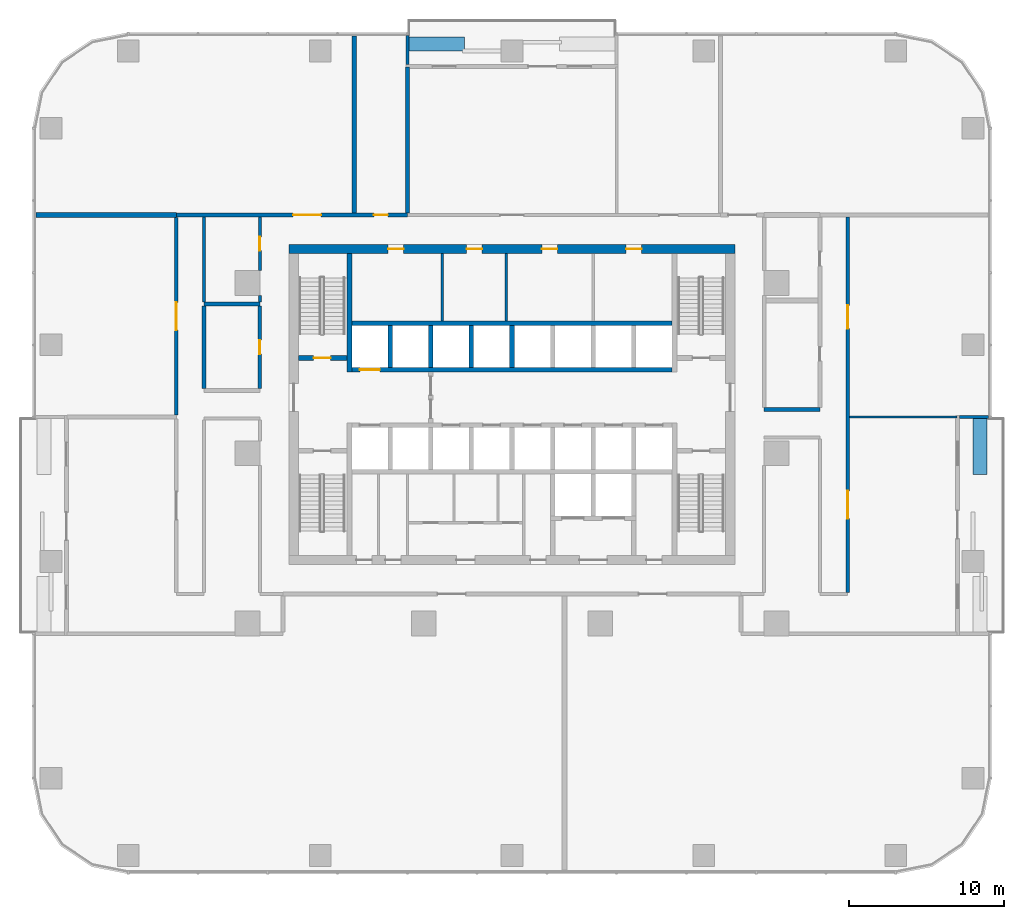
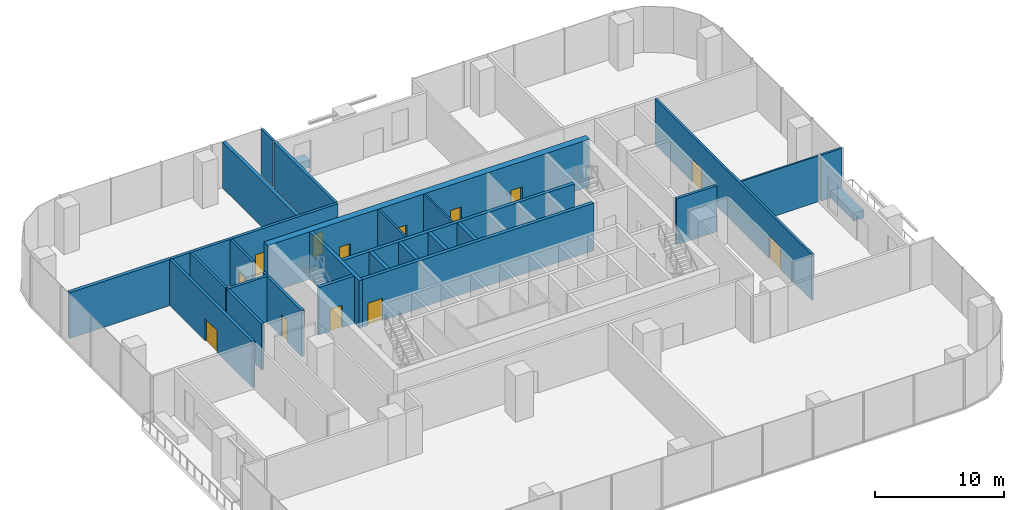
# One storey, part 9 of 14: 29 walls, 13 doors, 13 openings.
"""IFC4 building model written with IfcOpenShell, lengths in metres."""

from ifc_helpers import new_model, si_unit, direction, frame, frame_2d, origin, place, context, subcontext, project, spatial, rectangle, extrude, material, layer, layer_set, type_object, element, fill, save


model = new_model("IFC4")

# Units and contexts
model_context = context("Model", 3, precision=1e-05, world=origin(), true_north=direction((0.0, 1.0)))
body_context = subcontext(model_context, "Body", "Model", "MODEL_VIEW")
ifc_project = project(units=[si_unit("LENGTHUNIT", "METRE"), si_unit("AREAUNIT", "SQUARE_METRE"), si_unit("VOLUMEUNIT", "CUBIC_METRE"), si_unit("PLANEANGLEUNIT", "RADIAN"), si_unit("MASSUNIT", "GRAM", prefix="KILO")], contexts=[model_context])

# Site, building, storey
site_placement = place(None, origin())
site = spatial("IfcSite", under=ifc_project, at=site_placement, CompositionType="ELEMENT")
building_placement = place(site_placement, origin())
building = spatial("IfcBuilding", under=site, at=building_placement, Name="Mopane Tessera Tower", CompositionType="ELEMENT")
storey_placement = place(building_placement, frame((0.0, 0.0, 35.800048828125)))
storey = spatial("IfcBuildingStorey", under=building, at=storey_placement, Name="L06", CompositionType="ELEMENT", Elevation=35.800048828125)

# Walls
ifc_material_1 = material(Name="Fire-rated gypsum board partition")
ifc_layer_1 = layer(ifc_material_1, 0.14990234375)
ifc_layer_set_1 = layer_set([ifc_layer_1], Name="Fire-rated gypsum board partition")
wall_type_1 = type_object("IfcWallType", Name="Core room partition 150 mm", PredefinedType="PARTITIONING", material=ifc_layer_set_1)
for number, where, z_axis, x_axis, name in (
    (1, (-4.5, 8.550048828125, 0.0), (0.0, 0.0, 1.0), (0.0, 1.0, 0.0), "L06 Room partition"),
    (2, (-0.375, 8.550048828125, 0.0), (0.0, 0.0, 1.0), (0.0, 1.0, 0.0), "L06 Room partition"),
):
    element("IfcWall", number, at=place(storey_placement, frame(where, z_axis=z_axis, x_axis=x_axis)), inside=storey, type_object=wall_type_1, Name=name, PredefinedType="PARTITIONING", context=body_context, shape_type="SweptSolid", body=[
        extrude(rectangle(XDim=4.349853515625, YDim=0.14990234375, at=frame_2d((2.1748046875, 0.0))), origin(), (0.0, 0.0, 1.0), 4.5),
    ])

# Wall, openings, doors
ifc_material_2 = material(Name="Concrete C70/85", Category="concrete")
ifc_layer_2 = layer(ifc_material_2, 0.60009765625)
ifc_layer_set_2 = layer_set([ifc_layer_2], Name="Concrete C70/85")
wall_type_2 = type_object("IfcWallType", Name="Core shear wall 600 mm", PredefinedType="SHEAR", material=ifc_layer_set_2)
wall_1_placement = place(storey_placement, frame((-14.39990234375, 13.199951171875, 0.0), z_axis=(0.0, 0.0, 1.0), x_axis=(1.0, 0.0, 0.0)))
wall_1 = element("IfcWall", 3, at=wall_1_placement, inside=storey, type_object=wall_type_2, Name="L06 Core wall north", PredefinedType="SHEAR", context=body_context, shape_type="SweptSolid", body=[
    extrude(rectangle(XDim=28.7998046875, YDim=0.60009765625, at=frame_2d((14.39990234375, 0.0))), origin(), (0.0, 0.0, 1.0), 4.5),
])
opening_1_placement = place(wall_1_placement, frame((6.39990234375, 0.0, 0.0)))
opening_1 = element("IfcOpeningElement", 4, at=opening_1_placement, cuts=wall_1, Name="Opening RD1", PredefinedType="OPENING", context=body_context, shape_type="SweptSolid", body=[
    extrude(rectangle(XDim=1.0, YDim=2.10009765625, at=frame_2d((0.5, 1.050048828125))), frame((0.0, 0.31201171875, 0.0), z_axis=(0.0, -1.0, 0.0), x_axis=(1.0, 0.0, 0.0)), (0.0, 0.0, 1.0), 0.6240234375),
])
opening_2_placement = place(wall_1_placement, frame((11.46240234375, 0.0, 0.0)))
opening_2 = element("IfcOpeningElement", 5, at=opening_2_placement, cuts=wall_1, Name="Opening RD1", PredefinedType="OPENING", context=body_context, shape_type="SweptSolid", body=[
    extrude(rectangle(XDim=1.0, YDim=2.10009765625, at=frame_2d((0.5, 1.050048828125))), frame((0.0, 0.31201171875, 0.0), z_axis=(0.0, -1.0, 0.0), x_axis=(1.0, 0.0, 0.0)), (0.0, 0.0, 1.0), 0.6240234375),
])
opening_3_placement = place(wall_1_placement, frame((16.33740234375, 0.0, 0.0)))
opening_3 = element("IfcOpeningElement", 6, at=opening_3_placement, cuts=wall_1, Name="Opening RD1", PredefinedType="OPENING", context=body_context, shape_type="SweptSolid", body=[
    extrude(rectangle(XDim=1.0, YDim=2.10009765625, at=frame_2d((0.5, 1.050048828125))), frame((0.0, 0.31201171875, 0.0), z_axis=(0.0, -1.0, 0.0), x_axis=(1.0, 0.0, 0.0)), (0.0, 0.0, 1.0), 0.6240234375),
])
opening_4_placement = place(wall_1_placement, frame((21.77490234375, 0.0, 0.0)))
opening_4 = element("IfcOpeningElement", 7, at=opening_4_placement, cuts=wall_1, Name="Opening RD1", PredefinedType="OPENING", context=body_context, shape_type="SweptSolid", body=[
    extrude(rectangle(XDim=1.0, YDim=2.10009765625, at=frame_2d((0.5, 1.050048828125))), frame((0.0, 0.31201171875, 0.0), z_axis=(0.0, -1.0, 0.0), x_axis=(1.0, 0.0, 0.0)), (0.0, 0.0, 1.0), 0.6240234375),
])
ifc_material_3 = material(Name="Timber door", Category="wood")
door_type_1 = type_object("IfcDoorType", Name="Core room door 1000 x 2100", OperationType="SINGLE_SWING_LEFT", PredefinedType="DOOR", material=ifc_material_3)
door_1_placement = place(opening_1_placement, origin())
door_1 = element("IfcDoor", 8, at=door_1_placement, inside=storey, type_object=door_type_1, Name="L06 Room door", OperationType="SINGLE_SWING_LEFT", OverallHeight=2.10009765625, OverallWidth=1.0, PredefinedType="DOOR", context=body_context, shape_type="SweptSolid", body=[
    extrude(rectangle(XDim=1.0, YDim=2.10009765625, at=frame_2d((0.5, 1.050048828125))), frame((0.0, 0.02490234375, 0.0), z_axis=(0.0, -1.0, 0.0), x_axis=(1.0, 0.0, 0.0)), (0.0, 0.0, 1.0), 0.050048828125),
])
fill(opening_1, door_1)
door_2_placement = place(opening_2_placement, origin())
door_2 = element("IfcDoor", 9, at=door_2_placement, inside=storey, type_object=door_type_1, Name="L06 Room door", OperationType="SINGLE_SWING_LEFT", OverallHeight=2.10009765625, OverallWidth=1.0, PredefinedType="DOOR", context=body_context, shape_type="SweptSolid", body=[
    extrude(rectangle(XDim=1.0, YDim=2.10009765625, at=frame_2d((0.5, 1.050048828125))), frame((0.0, 0.02490234375, 0.0), z_axis=(0.0, -1.0, 0.0), x_axis=(1.0, 0.0, 0.0)), (0.0, 0.0, 1.0), 0.050048828125),
])
fill(opening_2, door_2)
door_3_placement = place(opening_3_placement, origin())
door_3 = element("IfcDoor", 10, at=door_3_placement, inside=storey, type_object=door_type_1, Name="L06 Room door", OperationType="SINGLE_SWING_LEFT", OverallHeight=2.10009765625, OverallWidth=1.0, PredefinedType="DOOR", context=body_context, shape_type="SweptSolid", body=[
    extrude(rectangle(XDim=1.0, YDim=2.10009765625, at=frame_2d((0.5, 1.050048828125))), frame((0.0, 0.02490234375, 0.0), z_axis=(0.0, -1.0, 0.0), x_axis=(1.0, 0.0, 0.0)), (0.0, 0.0, 1.0), 0.050048828125),
])
fill(opening_3, door_3)
door_4_placement = place(opening_4_placement, origin())
door_4 = element("IfcDoor", 11, at=door_4_placement, inside=storey, type_object=door_type_1, Name="L06 Room door", OperationType="SINGLE_SWING_LEFT", OverallHeight=2.10009765625, OverallWidth=1.0, PredefinedType="DOOR", context=body_context, shape_type="SweptSolid", body=[
    extrude(rectangle(XDim=1.0, YDim=2.10009765625, at=frame_2d((0.5, 1.050048828125))), frame((0.0, 0.02490234375, 0.0), z_axis=(0.0, -1.0, 0.0), x_axis=(1.0, 0.0, 0.0)), (0.0, 0.0, 1.0), 0.050048828125),
])
fill(opening_4, door_4)

# Walls
ifc_material_4 = material(Name="Concrete C60/75", Category="concrete")
ifc_layer_3 = layer(ifc_material_4, 0.300048828125)
ifc_layer_set_3 = layer_set([ifc_layer_3], Name="Concrete C60/75")
wall_type_3 = type_object("IfcWallType", Name="Core spine wall 300 mm", PredefinedType="SHEAR", material=ifc_layer_set_3)
wall_2_placement = place(storey_placement, frame((-10.5, 5.25, 0.0), z_axis=(0.0, 0.0, 1.0), x_axis=(0.0, 1.0, 0.0)))
element("IfcWall", 12, at=wall_2_placement, inside=storey, type_object=wall_type_3, Name="L06 Core spine wall", PredefinedType="SHEAR", context=body_context, shape_type="SweptSolid", body=[
    extrude(rectangle(XDim=7.64990234375, YDim=0.300048828125, at=frame_2d((3.824951171875, 0.0))), origin(), (0.0, 0.0, 1.0), 4.5),
])
ifc_material_5 = material(Name="Gypsum board on steel studs, two layers each face, mineral wool infill", Category="steel")
ifc_layer_4 = layer(ifc_material_5, 0.199951171875)
ifc_layer_set_4 = layer_set([ifc_layer_4], Name="Gypsum board on steel studs, two layers each face, mineral wool infill")
wall_type_4 = type_object("IfcWallType", Name="Gypsum board corridor wall 200, rated EI 60", PredefinedType="PARTITIONING", material=ifc_layer_set_4)
wall_3_placement = place(storey_placement, frame((-19.89990234375, 9.780029296875, 0.0), z_axis=(0.0, 0.0, 1.0), x_axis=(0.0, 1.0, 0.0)))
element("IfcWall", 13, at=wall_3_placement, inside=storey, type_object=wall_type_4, Name="Partition L06:026", PredefinedType="PARTITIONING", context=body_context, shape_type="SweptSolid", body=[
    extrude(rectangle(XDim=5.494873046875, YDim=0.199951171875, at=frame_2d((2.74755859375, 0.0))), origin(), (0.0, 0.0, 1.0), 4.349853515625),
])
wall_4_placement = place(storey_placement, frame((-16.300048828125, 9.780029296875, 0.0), z_axis=(0.0, 0.0, 1.0), x_axis=(0.0, 1.0, 0.0)))
element("IfcWall", 14, at=wall_4_placement, inside=storey, type_object=wall_type_4, Name="Partition L06:030", PredefinedType="PARTITIONING", context=body_context, shape_type="SweptSolid", body=[
    extrude(rectangle(XDim=0.419921875, YDim=0.199951171875, at=frame_2d((0.2099609375, 0.0))), origin(), (0.0, 0.0, 1.0), 4.349853515625),
])

# Wall, opening, door
wall_5_placement = place(storey_placement, frame((-16.300048828125, 11.800048828125, 0.0), z_axis=(0.0, 0.0, 1.0), x_axis=(0.0, 1.0, 0.0)))
wall_5 = element("IfcWall", 15, at=wall_5_placement, inside=storey, type_object=wall_type_4, Name="Partition L06:031", PredefinedType="PARTITIONING", context=body_context, shape_type="SweptSolid", body=[
    extrude(rectangle(XDim=3.474853515625, YDim=0.199951171875, at=frame_2d((1.7373046875, 0.0))), origin(), (0.0, 0.0, 1.0), 4.349853515625),
])
opening_5_placement = place(wall_5_placement, frame((1.28759765625, 0.0, 0.0)))
opening_5 = element("IfcOpeningElement", 16, at=opening_5_placement, cuts=wall_5, Name="Opening L06-14", PredefinedType="OPENING", context=body_context, shape_type="SweptSolid", body=[
    extrude(rectangle(XDim=0.89990234375, YDim=2.10009765625, at=frame_2d((0.449951171875, 1.050048828125))), frame((0.0, 0.112060546875, 0.0), z_axis=(0.0, -1.0, 0.0), x_axis=(1.0, 0.0, 0.0)), (0.0, 0.0, 1.0), 0.223876953125),
])
ifc_material_6 = material(Name="Timber veneered steel-framed fire door", Category="steel")
door_type_2 = type_object("IfcDoorType", Name="Fire door FD60 900 x 2100", OperationType="SINGLE_SWING_LEFT", PredefinedType="DOOR", material=ifc_material_6)
door_5_placement = place(opening_5_placement, origin())
door_5 = element("IfcDoor", 17, at=door_5_placement, inside=storey, type_object=door_type_2, Name="Door L06-14", ObjectType="D10A", OperationType="SINGLE_SWING_LEFT", OverallHeight=2.10009765625, OverallWidth=0.89990234375, PredefinedType="DOOR", context=body_context, shape_type="SweptSolid", body=[
    extrude(rectangle(XDim=0.89990234375, YDim=2.10009765625, at=frame_2d((0.449951171875, 1.050048828125))), frame((0.0, 0.02490234375, 0.0), z_axis=(0.0, -1.0, 0.0), x_axis=(1.0, 0.0, 0.0)), (0.0, 0.0, 1.0), 0.050048828125),
])
fill(opening_5, door_5)

# Wall, openings, doors
wall_6_placement = place(storey_placement, frame((21.699951171875, -9.0, 0.0), z_axis=(0.0, 0.0, 1.0), x_axis=(0.0, 1.0, 0.0)))
wall_6 = element("IfcWall", 18, at=wall_6_placement, inside=storey, type_object=wall_type_4, Name="Partition L06:045", PredefinedType="PARTITIONING", context=body_context, shape_type="SweptSolid", body=[
    extrude(rectangle(XDim=24.27490234375, YDim=0.199951171875, at=frame_2d((12.137451171875, 0.0))), origin(), (0.0, 0.0, 1.0), 4.349853515625),
])
opening_6_placement = place(wall_6_placement, frame((4.767578125, 0.0, 0.0)))
opening_6 = element("IfcOpeningElement", 19, at=opening_6_placement, cuts=wall_6, Name="Opening L06-05", PredefinedType="OPENING", context=body_context, shape_type="SweptSolid", body=[
    extrude(rectangle(XDim=1.800048828125, YDim=2.10009765625, at=frame_2d((0.89990234375, 1.050048828125))), frame((0.0, 0.112060546875, 0.0), z_axis=(0.0, -1.0, 0.0), x_axis=(1.0, 0.0, 0.0)), (0.0, 0.0, 1.0), 0.223876953125),
])
opening_7_placement = place(wall_6_placement, frame((17.054931640625, 0.0, 0.0)))
opening_7 = element("IfcOpeningElement", 20, at=opening_7_placement, cuts=wall_6, Name="Opening L06-06", PredefinedType="OPENING", context=body_context, shape_type="SweptSolid", body=[
    extrude(rectangle(XDim=1.5, YDim=2.10009765625, at=frame_2d((0.75, 1.050048828125))), frame((0.0, 0.112060546875, 0.0), z_axis=(0.0, -1.0, 0.0), x_axis=(1.0, 0.0, 0.0)), (0.0, 0.0, 1.0), 0.223876953125),
])
ifc_material_7 = material(Name="Timber veneered steel-framed fire door", Category="steel")
door_type_3 = type_object("IfcDoorType", Name="Fire door pair FD60 1500 x 2100", OperationType="DOUBLE_DOOR_SINGLE_SWING", PredefinedType="DOOR", material=ifc_material_7)
door_6_placement = place(opening_7_placement, origin())
door_6 = element("IfcDoor", 21, at=door_6_placement, inside=storey, type_object=door_type_3, Name="Door L06-06", ObjectType="D17A", OperationType="DOUBLE_DOOR_SINGLE_SWING", OverallHeight=2.10009765625, OverallWidth=1.5, PredefinedType="DOOR", context=body_context, shape_type="SweptSolid", body=[
    extrude(rectangle(XDim=1.5, YDim=2.10009765625, at=frame_2d((0.75, 1.050048828125))), frame((0.0, 0.02490234375, 0.0), z_axis=(0.0, -1.0, 0.0), x_axis=(1.0, 0.0, 0.0)), (0.0, 0.0, 1.0), 0.050048828125),
])
fill(opening_7, door_6)
ifc_material_8 = material(Name="Timber veneered steel-framed fire door", Category="steel")
door_type_4 = type_object("IfcDoorType", Name="Fire door pair FD60 1800 x 2100", OperationType="DOUBLE_DOOR_SINGLE_SWING", PredefinedType="DOOR", material=ifc_material_8)
door_7_placement = place(opening_6_placement, origin())
door_7 = element("IfcDoor", 22, at=door_7_placement, inside=storey, type_object=door_type_4, Name="Door L06-05", ObjectType="D20A", OperationType="DOUBLE_DOOR_SINGLE_SWING", OverallHeight=2.10009765625, OverallWidth=1.800048828125, PredefinedType="DOOR", context=body_context, shape_type="SweptSolid", body=[
    extrude(rectangle(XDim=1.800048828125, YDim=2.10009765625, at=frame_2d((0.89990234375, 1.050048828125))), frame((0.0, 0.02490234375, 0.0), z_axis=(0.0, -1.0, 0.0), x_axis=(1.0, 0.0, 0.0)), (0.0, 0.0, 1.0), 0.050048828125),
])
fill(opening_6, door_7)

# Wall
ifc_material_9 = material(Name="Gypsum board on steel studs, mineral wool infill", Category="steel")
ifc_layer_5 = layer(ifc_material_9, 0.14990234375)
ifc_layer_set_5 = layer_set([ifc_layer_5], Name="Gypsum board on steel studs, mineral wool infill")
wall_type_5 = type_object("IfcWallType", Name="Gypsum board partition 150, rated EI 60", PredefinedType="PARTITIONING", material=ifc_layer_set_5)
wall_7_placement = place(storey_placement, frame((21.800048828125, 2.3349609375, 0.0), z_axis=(0.0, 0.0, 1.0), x_axis=(1.0, 0.0, 0.0)))
element("IfcWall", 23, at=wall_7_placement, inside=storey, type_object=wall_type_5, Name="Partition L06:011", PredefinedType="PARTITIONING", context=body_context, shape_type="SweptSolid", body=[
    extrude(rectangle(XDim=6.949951171875, YDim=0.14990234375, at=frame_2d((3.47509765625, 0.0))), origin(), (0.0, 0.0, 1.0), 4.349853515625),
])

# Wall, opening, door
ifc_material_10 = material(Name="Concrete C50/60", Category="concrete")
ifc_layer_6 = layer(ifc_material_10, 0.300048828125)
ifc_layer_set_6 = layer_set([ifc_layer_6], Name="Concrete C50/60")
wall_type_6 = type_object("IfcWallType", Name="Lift and stair shaft wall 300 mm", PredefinedType="SOLIDWALL", material=ifc_layer_set_6)
wall_8_placement = place(storey_placement, frame((-13.800048828125, 6.14990234375, 0.0), z_axis=(0.0, 0.0, 1.0), x_axis=(1.0, 0.0, 0.0)))
wall_8 = element("IfcWall", 24, at=wall_8_placement, inside=storey, type_object=wall_type_6, Name="L06 Stair enclosure wall", PredefinedType="SOLIDWALL", context=body_context, shape_type="SweptSolid", body=[
    extrude(rectangle(XDim=3.150146484375, YDim=0.300048828125, at=frame_2d((1.5751953125, 0.0))), origin(), (0.0, 0.0, 1.0), 4.5),
])
opening_8_placement = place(wall_8_placement, frame((0.97509765625, 0.0, 0.0)))
opening_8 = element("IfcOpeningElement", 25, at=opening_8_placement, cuts=wall_8, Name="Opening SD1", PredefinedType="OPENING", context=body_context, shape_type="SweptSolid", body=[
    extrude(rectangle(XDim=1.10009765625, YDim=2.10009765625, at=frame_2d((0.550048828125, 1.050048828125))), frame((0.0, 0.162109375, 0.0), z_axis=(0.0, -1.0, 0.0), x_axis=(1.0, 0.0, 0.0)), (0.0, 0.0, 1.0), 0.323974609375),
])
ifc_material_11 = material(Name="Steel fire door", Category="steel")
door_type_5 = type_object("IfcDoorType", Name="Stair fire door 1100 x 2100", OperationType="SINGLE_SWING_LEFT", PredefinedType="DOOR", material=ifc_material_11)
door_8_placement = place(opening_8_placement, origin())
door_8 = element("IfcDoor", 26, at=door_8_placement, inside=storey, type_object=door_type_5, Name="L06 Stair door ST2", OperationType="SINGLE_SWING_LEFT", OverallHeight=2.10009765625, OverallWidth=1.10009765625, PredefinedType="DOOR", context=body_context, shape_type="SweptSolid", body=[
    extrude(rectangle(XDim=1.10009765625, YDim=2.10009765625, at=frame_2d((0.550048828125, 1.050048828125))), frame((0.0, 0.02490234375, 0.0), z_axis=(0.0, -1.0, 0.0), x_axis=(1.0, 0.0, 0.0)), (0.0, 0.0, 1.0), 0.050048828125),
])
fill(opening_8, door_8)

wall_9_placement = place(storey_placement, frame((-10.35009765625, 5.39990234375, 0.0), z_axis=(0.0, 0.0, 1.0), x_axis=(1.0, 0.0, 0.0)))
wall_9 = element("IfcWall", 27, at=wall_9_placement, inside=storey, type_object=wall_type_6, Name="L06 Lift shaft front wall", PredefinedType="SOLIDWALL", context=body_context, shape_type="SweptSolid", body=[
    extrude(rectangle(XDim=20.7001953125, YDim=0.300048828125, at=frame_2d((10.35009765625, 0.0))), origin(), (0.0, 0.0, 1.0), 4.5),
])
opening_9_placement = place(wall_9_placement, frame((0.512451171875, 0.0, 0.0)))
opening_9 = element("IfcOpeningElement", 28, at=opening_9_placement, cuts=wall_9, Name="Opening LD2", PredefinedType="OPENING", context=body_context, shape_type="SweptSolid", body=[
    extrude(rectangle(XDim=1.300048828125, YDim=2.10009765625, at=frame_2d((0.64990234375, 1.050048828125))), frame((0.0, 0.162109375, 0.0), z_axis=(0.0, -1.0, 0.0), x_axis=(1.0, 0.0, 0.0)), (0.0, 0.0, 1.0), 0.323974609375),
])
ifc_material_12 = material(Name="Stainless steel sliding door", Category="steel")
door_type_6 = type_object("IfcDoorType", Name="Fire-fighting lift landing door 1300 x 2100", OperationType="DOUBLE_DOOR_SLIDING", PredefinedType="DOOR", material=ifc_material_12)
door_9_placement = place(opening_9_placement, origin())
door_9 = element("IfcDoor", 29, at=door_9_placement, inside=storey, type_object=door_type_6, Name="L06 Lift landing door FF2", OperationType="DOUBLE_DOOR_SLIDING", OverallHeight=2.10009765625, OverallWidth=1.300048828125, PredefinedType="DOOR", context=body_context, shape_type="SweptSolid", body=[
    extrude(rectangle(XDim=1.300048828125, YDim=2.10009765625, at=frame_2d((0.64990234375, 1.050048828125))), frame((0.0, 0.02490234375, 0.0), z_axis=(0.0, -1.0, 0.0), x_axis=(1.0, 0.0, 0.0)), (0.0, 0.0, 1.0), 0.050048828125),
])
fill(opening_9, door_9)

# Walls
wall_10_placement = place(storey_placement, frame((-10.35009765625, 8.39990234375, 0.0), z_axis=(0.0, 0.0, 1.0), x_axis=(1.0, 0.0, 0.0)))
element("IfcWall", 30, at=wall_10_placement, inside=storey, type_object=wall_type_6, Name="L06 Lift shaft rear wall", PredefinedType="SOLIDWALL", context=body_context, shape_type="SweptSolid", body=[
    extrude(rectangle(XDim=20.7001953125, YDim=0.300048828125, at=frame_2d((10.35009765625, 0.0))), origin(), (0.0, 0.0, 1.0), 4.5),
])
for number, where, z_axis, x_axis, name in (
    (31, (-7.875, 5.550048828125, 0.0), (0.0, 0.0, 1.0), (0.0, 1.0, 0.0), "L06 Lift shaft wall"),
    (32, (-5.25, 5.550048828125, 0.0), (0.0, 0.0, 1.0), (0.0, 1.0, 0.0), "L06 Lift shaft wall"),
    (33, (-2.625, 5.550048828125, 0.0), (0.0, 0.0, 1.0), (0.0, 1.0, 0.0), "L06 Lift shaft wall"),
    (34, (0.0, 5.550048828125, 0.0), (0.0, 0.0, 1.0), (0.0, 1.0, 0.0), "L06 Lift shaft wall"),
):
    element("IfcWall", number, at=place(storey_placement, frame(where, z_axis=z_axis, x_axis=x_axis)), inside=storey, type_object=wall_type_6, Name=name, PredefinedType="SOLIDWALL", context=body_context, shape_type="SweptSolid", body=[
        extrude(rectangle(XDim=2.699951171875, YDim=0.300048828125, at=frame_2d((1.35009765625, 0.0))), origin(), (0.0, 0.0, 1.0), 4.5),
    ])
ifc_material_13 = material(Name="Reinforced concrete C32/40 with waterproofing", Category="concrete")
ifc_layer_7 = layer(ifc_material_13, 0.89990234375)
ifc_layer_set_7 = layer_set([ifc_layer_7], Name="Reinforced concrete C32/40 with waterproofing")
wall_type_7 = type_object("IfcWallType", Name="Planter trough 3600 x 900", PredefinedType="STANDARD", material=ifc_layer_set_7)
wall_11_placement = place(storey_placement, frame((30.25, -1.36669921875, 0.0), z_axis=(0.0, 0.0, 1.0), x_axis=(0.0, 1.0, 0.0)))
element("IfcWall", 35, at=wall_11_placement, inside=storey, type_object=wall_type_7, Name="e:nw:L06:N1:pl1", PredefinedType="STANDARD", context=body_context, shape_type="SweptSolid", body=[
    extrude(rectangle(XDim=3.60009765625, YDim=0.89990234375, at=frame_2d((1.800048828125, 0.0))), origin(), (0.0, 0.0, 1.0), 0.699951171875),
])
wall_12_placement = place(storey_placement, frame((-3.063720703125, 26.449951171875, 0.0), z_axis=(0.0, 0.0, 1.0), x_axis=(-1.0, 0.0, 0.0)))
element("IfcWall", 36, at=wall_12_placement, inside=storey, type_object=wall_type_7, Name="e:nw:L06:N2:pl1", PredefinedType="STANDARD", context=body_context, shape_type="SweptSolid", body=[
    extrude(rectangle(XDim=3.599853515625, YDim=0.89990234375, at=frame_2d((1.7998046875, 0.0))), origin(), (0.0, 0.0, 1.0), 0.699951171875),
])
ifc_material_14 = material(Name="Plastered concrete blockwork C20/25", Category="masonry")
ifc_layer_8 = layer(ifc_material_14, 0.300048828125)
ifc_layer_set_8 = layer_set([ifc_layer_8], Name="Plastered concrete blockwork C20/25")
wall_type_8 = type_object("IfcWallType", Name="Plastered blockwork separation wall 300, rated EI 120", PredefinedType="PARTITIONING", material=ifc_layer_set_8)
wall_13_placement = place(storey_placement, frame((-30.75, 15.39990234375, 0.0), z_axis=(0.0, 0.0, 1.0), x_axis=(1.0, 0.0, 0.0)))
element("IfcWall", 37, at=wall_13_placement, inside=storey, type_object=wall_type_8, Name="Partition L06:021", PredefinedType="PARTITIONING", context=body_context, shape_type="SweptSolid", body=[
    extrude(rectangle(XDim=9.050048828125, YDim=0.300048828125, at=frame_2d((4.52490234375, 0.0))), origin(), (0.0, 0.0, 1.0), 4.349853515625),
])
wall_14_placement = place(storey_placement, frame((-10.18505859375, 15.52490234375, 0.0), z_axis=(0.0, 0.0, 1.0), x_axis=(0.0, 1.0, 0.0)))
element("IfcWall", 38, at=wall_14_placement, inside=storey, type_object=wall_type_8, Name="Partition L06:034", PredefinedType="PARTITIONING", context=body_context, shape_type="SweptSolid", body=[
    extrude(rectangle(XDim=11.425048828125, YDim=0.300048828125, at=frame_2d((5.71240234375, 0.0))), origin(), (0.0, 0.0, 1.0), 4.349853515625),
])
ifc_material_15 = material(Name="Plastered concrete blockwork C20/25", Category="masonry")
ifc_layer_9 = layer(ifc_material_15, 0.25)
ifc_layer_set_9 = layer_set([ifc_layer_9], Name="Plastered concrete blockwork C20/25")
wall_type_9 = type_object("IfcWallType", Name="Plastered blockwork wall 250, rated EI 120", PredefinedType="PARTITIONING", material=ifc_layer_set_9)
for number, where, z_axis, x_axis, name in (
    (39, (16.300048828125, 2.824951171875, 0.0), (0.0, 0.0, 1.0), (1.0, 0.0, 0.0), "Partition L06:013"),
    (40, (-19.89990234375, 9.655029296875, 0.0), (0.0, 0.0, 1.0), (1.0, 0.0, 0.0), "Partition L06:015"),
):
    element("IfcWall", number, at=place(storey_placement, frame(where, z_axis=z_axis, x_axis=x_axis)), inside=storey, type_object=wall_type_9, Name=name, PredefinedType="PARTITIONING", context=body_context, shape_type="SweptSolid", body=[
        extrude(rectangle(XDim=3.599853515625, YDim=0.25, at=frame_2d((1.7998046875, 0.0))), origin(), (0.0, 0.0, 1.0), 4.349853515625),
    ])

# Wall, openings, doors
wall_15_placement = place(storey_placement, frame((-21.699951171875, 15.39990234375, 0.0), z_axis=(0.0, 0.0, 1.0), x_axis=(1.0, 0.0, 0.0)))
wall_15 = element("IfcWall", 41, at=wall_15_placement, inside=storey, type_object=wall_type_9, Name="Partition L06:018", PredefinedType="PARTITIONING", context=body_context, shape_type="SweptSolid", body=[
    extrude(rectangle(XDim=14.93505859375, YDim=0.25, at=frame_2d((7.467529296875, 0.0))), origin(), (0.0, 0.0, 1.0), 4.349853515625),
])
opening_10_placement = place(wall_15_placement, frame((12.77490234375, 0.0, 0.0)))
opening_10 = element("IfcOpeningElement", 42, at=opening_10_placement, cuts=wall_15, Name="Opening L06-10", PredefinedType="OPENING", context=body_context, shape_type="SweptSolid", body=[
    extrude(rectangle(XDim=0.89990234375, YDim=2.10009765625, at=frame_2d((0.449951171875, 1.050048828125))), frame((0.0, 0.136962890625, 0.0), z_axis=(0.0, -1.0, 0.0), x_axis=(1.0, 0.0, 0.0)), (0.0, 0.0, 1.0), 0.27392578125),
])
opening_11_placement = place(wall_15_placement, frame((7.5576171875, 0.0, 0.0)))
opening_11 = element("IfcOpeningElement", 43, at=opening_11_placement, cuts=wall_15, Name="Opening L06-13", PredefinedType="OPENING", context=body_context, shape_type="SweptSolid", body=[
    extrude(rectangle(XDim=1.800048828125, YDim=2.10009765625, at=frame_2d((0.89990234375, 1.050048828125))), frame((0.0, 0.136962890625, 0.0), z_axis=(0.0, -1.0, 0.0), x_axis=(1.0, 0.0, 0.0)), (0.0, 0.0, 1.0), 0.27392578125),
])
ifc_material_16 = material(Name="Timber veneered steel-framed fire door", Category="steel")
door_type_7 = type_object("IfcDoorType", Name="Fire door FD120 900 x 2100", OperationType="SINGLE_SWING_LEFT", PredefinedType="DOOR", material=ifc_material_16)
door_10_placement = place(opening_10_placement, origin())
door_10 = element("IfcDoor", 44, at=door_10_placement, inside=storey, type_object=door_type_7, Name="Door L06-10", ObjectType="D10B", OperationType="SINGLE_SWING_RIGHT", OverallHeight=2.10009765625, OverallWidth=0.89990234375, PredefinedType="DOOR", context=body_context, shape_type="SweptSolid", body=[
    extrude(rectangle(XDim=0.89990234375, YDim=2.10009765625, at=frame_2d((0.449951171875, 1.050048828125))), frame((0.0, 0.02490234375, 0.0), z_axis=(0.0, -1.0, 0.0), x_axis=(1.0, 0.0, 0.0)), (0.0, 0.0, 1.0), 0.050048828125),
])
fill(opening_10, door_10)
ifc_material_17 = material(Name="Timber veneered steel-framed fire door", Category="steel")
door_type_8 = type_object("IfcDoorType", Name="Fire door pair FD120 1800 x 2100", OperationType="DOUBLE_DOOR_SINGLE_SWING", PredefinedType="DOOR", material=ifc_material_17)
door_11_placement = place(opening_11_placement, origin())
door_11 = element("IfcDoor", 45, at=door_11_placement, inside=storey, type_object=door_type_8, Name="Door L06-13", ObjectType="D20B", OperationType="DOUBLE_DOOR_SINGLE_SWING", OverallHeight=2.10009765625, OverallWidth=1.800048828125, PredefinedType="DOOR", context=body_context, shape_type="SweptSolid", body=[
    extrude(rectangle(XDim=1.800048828125, YDim=2.10009765625, at=frame_2d((0.89990234375, 1.050048828125))), frame((0.0, 0.02490234375, 0.0), z_axis=(0.0, -1.0, 0.0), x_axis=(1.0, 0.0, 0.0)), (0.0, 0.0, 1.0), 0.050048828125),
])
fill(opening_11, door_11)

# Wall, opening, door
wall_16_placement = place(storey_placement, frame((-21.699951171875, 2.4599609375, 0.0), z_axis=(0.0, 0.0, 1.0), x_axis=(0.0, 1.0, 0.0)))
wall_16 = element("IfcWall", 46, at=wall_16_placement, inside=storey, type_object=wall_type_9, Name="Partition L06:024", PredefinedType="PARTITIONING", context=body_context, shape_type="SweptSolid", body=[
    extrude(rectangle(XDim=12.7900390625, YDim=0.25, at=frame_2d((6.39501953125, 0.0))), origin(), (0.0, 0.0, 1.0), 4.349853515625),
])
opening_12_placement = place(wall_16_placement, frame((5.4951171875, 0.0, 0.0)))
opening_12 = element("IfcOpeningElement", 47, at=opening_12_placement, cuts=wall_16, Name="Opening L06-08", PredefinedType="OPENING", context=body_context, shape_type="SweptSolid", body=[
    extrude(rectangle(XDim=1.800048828125, YDim=2.10009765625, at=frame_2d((0.89990234375, 1.050048828125))), frame((0.0, 0.136962890625, 0.0), z_axis=(0.0, -1.0, 0.0), x_axis=(1.0, 0.0, 0.0)), (0.0, 0.0, 1.0), 0.27392578125),
])
door_12_placement = place(opening_12_placement, origin())
door_12 = element("IfcDoor", 48, at=door_12_placement, inside=storey, type_object=door_type_8, Name="Door L06-08", ObjectType="D20B", OperationType="DOUBLE_DOOR_SINGLE_SWING", OverallHeight=2.10009765625, OverallWidth=1.800048828125, PredefinedType="DOOR", context=body_context, shape_type="SweptSolid", body=[
    extrude(rectangle(XDim=1.800048828125, YDim=2.10009765625, at=frame_2d((0.89990234375, 1.050048828125))), frame((0.0, 0.02490234375, 0.0), z_axis=(0.0, -1.0, 0.0), x_axis=(1.0, 0.0, 0.0)), (0.0, 0.0, 1.0), 0.050048828125),
])
fill(opening_12, door_12)

# Wall
wall_17_placement = place(storey_placement, frame((-19.89990234375, 4.175048828125, 0.0), z_axis=(0.0, 0.0, 1.0), x_axis=(0.0, 1.0, 0.0)))
element("IfcWall", 49, at=wall_17_placement, inside=storey, type_object=wall_type_9, Name="Partition L06:027", PredefinedType="PARTITIONING", context=body_context, shape_type="SweptSolid", body=[
    extrude(rectangle(XDim=5.35498046875, YDim=0.25, at=frame_2d((2.677490234375, 0.0))), origin(), (0.0, 0.0, 1.0), 4.349853515625),
])

# Wall, opening, door
wall_18_placement = place(storey_placement, frame((-16.300048828125, 4.175048828125, 0.0), z_axis=(0.0, 0.0, 1.0), x_axis=(0.0, 1.0, 0.0)))
wall_18 = element("IfcWall", 50, at=wall_18_placement, inside=storey, type_object=wall_type_9, Name="Partition L06:032", PredefinedType="PARTITIONING", context=body_context, shape_type="SweptSolid", body=[
    extrude(rectangle(XDim=5.35498046875, YDim=0.25, at=frame_2d((2.677490234375, 0.0))), origin(), (0.0, 0.0, 1.0), 4.349853515625),
])
opening_13_placement = place(wall_18_placement, frame((2.2275390625, 0.0, 0.0)))
opening_13 = element("IfcOpeningElement", 51, at=opening_13_placement, cuts=wall_18, Name="Opening L06-01", PredefinedType="OPENING", context=body_context, shape_type="SweptSolid", body=[
    extrude(rectangle(XDim=0.89990234375, YDim=2.10009765625, at=frame_2d((0.449951171875, 1.050048828125))), frame((0.0, 0.136962890625, 0.0), z_axis=(0.0, -1.0, 0.0), x_axis=(1.0, 0.0, 0.0)), (0.0, 0.0, 1.0), 0.27392578125),
])
door_13_placement = place(opening_13_placement, origin())
door_13 = element("IfcDoor", 52, at=door_13_placement, inside=storey, type_object=door_type_7, Name="Door L06-01", ObjectType="D10B", OperationType="SINGLE_SWING_LEFT", OverallHeight=2.10009765625, OverallWidth=0.89990234375, PredefinedType="DOOR", context=body_context, shape_type="SweptSolid", body=[
    extrude(rectangle(XDim=0.89990234375, YDim=2.10009765625, at=frame_2d((0.449951171875, 1.050048828125))), frame((0.0, 0.02490234375, 0.0), z_axis=(0.0, -1.0, 0.0), x_axis=(1.0, 0.0, 0.0)), (0.0, 0.0, 1.0), 0.050048828125),
])
fill(opening_13, door_13)

# Walls
wall_19_placement = place(storey_placement, frame((-6.764892578125, 15.52490234375, 0.0), z_axis=(0.0, 0.0, 1.0), x_axis=(0.0, 1.0, 0.0)))
element("IfcWall", 53, at=wall_19_placement, inside=storey, type_object=wall_type_9, Name="Partition L06:035", PredefinedType="PARTITIONING", context=body_context, shape_type="SweptSolid", body=[
    extrude(rectangle(XDim=9.425048828125, YDim=0.25, at=frame_2d((4.71240234375, 0.0))), origin(), (0.0, 0.0, 1.0), 4.349853515625),
])
ifc_material_18 = material(Name="Blockwork with glazed tile facing", Category="masonry")
ifc_layer_10 = layer(ifc_material_18, 0.199951171875)
ifc_layer_set_10 = layer_set([ifc_layer_10], Name="Blockwork with glazed tile facing")
wall_type_10 = type_object("IfcWallType", Name="Terrace cheek wall 200", PredefinedType="STANDARD", material=ifc_layer_set_10)
for number, where, z_axis, x_axis, name in (
    (54, (30.800048828125, 2.333251953125, 0.0), (0.0, 0.0, 1.0), (-1.0, 0.0, 0.0), "e:nw:L06:N1:cheekb"),
    (55, (-6.763671875, 27.0, 0.0), (0.0, 0.0, 1.0), (0.0, -1.0, 0.0), "e:nw:L06:N2:cheekb"),
):
    element("IfcWall", number, at=place(storey_placement, frame(where, z_axis=z_axis, x_axis=x_axis)), inside=storey, type_object=wall_type_10, Name=name, PredefinedType="STANDARD", context=body_context, shape_type="SweptSolid", body=[
        extrude(rectangle(XDim=1.875, YDim=0.199951171875, at=frame_2d((0.9375, 0.0))), origin(), (0.0, 0.0, 1.0), 4.349853515625),
    ])

save(model, "model.ifc")
